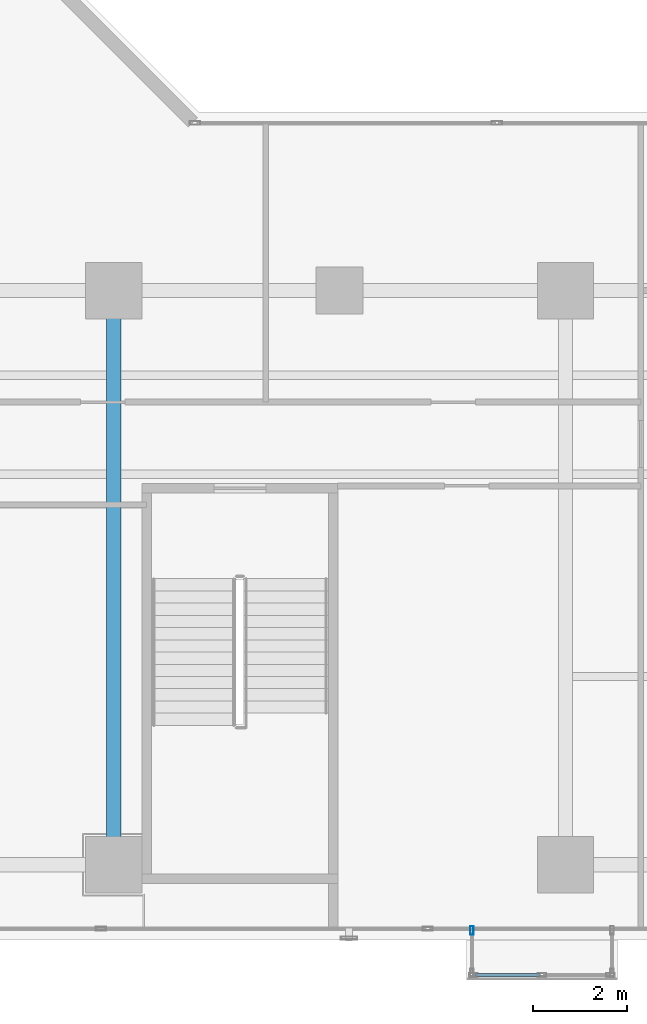
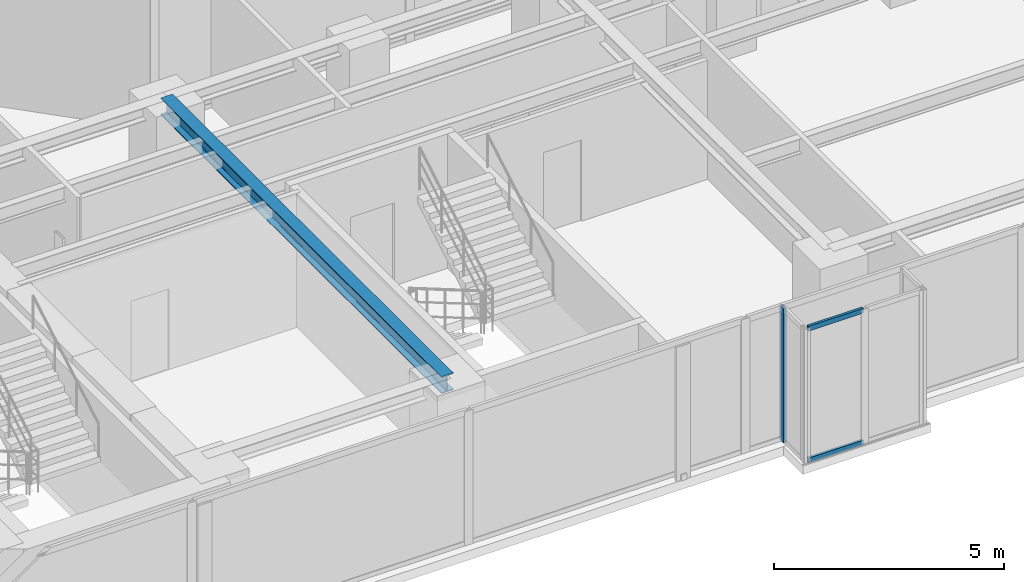
# One storey, part 5 of 27: 3 members, 1 beam, 2 elements without a shape of their own.
"""IFC4 building model written with IfcOpenShell, lengths in metres."""

from ifc_helpers import new_model, si_unit, direction, frame, origin, origin_with_axes, origin_2d, place, context, subcontext, project, spatial, hollow_rectangle, i_section, extrude, source, transform, mapped, material, layer, layer_set, material_profile, profile_set, type_object, element, aggregate, save


model = new_model("IFC4")

# Units and contexts
model_context = context("Model", 3, precision=1e-05, world=origin(), true_north=direction((0.0, 1.0)))
body_context = subcontext(model_context, "Body", "Model", "MODEL_VIEW")
ifc_project = project(units=[si_unit("LENGTHUNIT", "METRE"), si_unit("AREAUNIT", "SQUARE_METRE"), si_unit("VOLUMEUNIT", "CUBIC_METRE"), si_unit("PLANEANGLEUNIT", "RADIAN"), si_unit("MASSUNIT", "GRAM", prefix="KILO")], contexts=[model_context])

# Site, building, storey
site_placement = place(None, origin())
site = spatial("IfcSite", under=ifc_project, at=site_placement, CompositionType="ELEMENT")
building_placement = place(site_placement, origin())
building = spatial("IfcBuilding", under=site, at=building_placement, Name="Kolvaren Waterfront Exchange", CompositionType="ELEMENT")
storey_placement = place(building_placement, frame((0.0, 0.0, 176.60009765625)))
storey = spatial("IfcBuildingStorey", under=building, at=storey_placement, Name="L45", CompositionType="ELEMENT", Elevation=176.60009765625)

# Beam
ifc_material_1 = material(Name="Steel S355", Category="steel")
ifc_material_profile_1 = material_profile(ifc_material_1, i_section(OverallWidth=0.300048828125, OverallDepth=0.449951171875, WebThickness=0.013916015625, FlangeThickness=0.02587890625, FilletRadius=0.027099609375, at=origin_2d()), Name="HEB450")
ifc_profile_set_1 = profile_set([ifc_material_profile_1], Name="Steel S355")
beam_type = type_object("IfcBeamType", Name="STR-BM-HEB450", PredefinedType="BEAM", material=ifc_profile_set_1)
beam_placement = place(storey_placement, frame((27.199951171875, 5.199951171875, 3.3349609375), z_axis=(0.0, 1.0, 0.0), x_axis=(-1.0, 0.0, 0.0)))
element("IfcBeam", 1, at=beam_placement, inside=storey, type_object=beam_type, Name="L45 east-arm transverse girder X27", PredefinedType="BEAM", context=body_context, shape_type="SweptSolid", body=[
    extrude(i_section(OverallWidth=0.300048828125, OverallDepth=0.449951171875, WebThickness=0.013916015625, FlangeThickness=0.02587890625, FilletRadius=0.027099609375, at=origin_2d()), origin(), (0.0, 0.0, 1.0), 12.199951171875),
])

# Curtain wall, members
ifc_material_2 = material(Name="Anodised bronze aluminium 6063-T6", Category="aluminium")
ifc_layer = layer(ifc_material_2, 0.219970703125, Name="Anodised bronze aluminium 6063-T6")
ifc_layer_set = layer_set([ifc_layer], Name="Anodised bronze aluminium 6063-T6")
curtain_wall_type = type_object("IfcCurtainWallType", Name="ARC-CW-SYS3", PredefinedType="USERDEFINED", material=ifc_layer_set)
curtain_wall_1_placement = place(storey_placement, origin())
curtain_wall_1 = element("IfcCurtainWall", 2, at=curtain_wall_1_placement, inside=storey, type_object=curtain_wall_type, Name="L45 stick curtain wall CW3 (CW-L45-BOX)", ObjectType="STICK CURTAIN WALL", PredefinedType="USERDEFINED")
ifc_material_profile_2 = material_profile(ifc_material_2, hollow_rectangle(XDim=0.06494140625, YDim=0.1298828125, WallThickness=0.00390625, at=origin_2d()), Name="ALU-TRN-130x65x4")
ifc_profile_set_2 = profile_set([ifc_material_profile_2], Name="Anodised bronze aluminium 6063-T6")
member_type_1 = type_object("IfcMemberType", Name="ARC-CWT-130", PredefinedType="USERDEFINED", material=ifc_profile_set_2)
shared_shape_1 = source(origin_with_axes(), body_context, "Body", "SweptSolid", [
    extrude(hollow_rectangle(XDim=0.06494140625, YDim=0.1298828125, WallThickness=0.00390625, at=origin_2d()), origin(), (0.0, 0.0, 1.0), 1.37744140625),
])
member_1_placement = place(storey_placement, frame((34.885009765625, 2.860107421875, 0.032470703125), z_axis=(1.0, 0.0, 0.0), x_axis=(0.0, 1.0, 0.0)))
member_1 = element("IfcMember", 3, at=member_1_placement, type_object=member_type_1, Name="CW3 transom 1.1", ObjectType="TRANSOM", PredefinedType="USERDEFINED", context=body_context, shape_type="MappedRepresentation", body=[
    mapped(shared_shape_1, transform((0.0, 0.0, 0.0), x_axis=(1.0, 0.0, 0.0), y_axis=(0.0, 1.0, 0.0), z_axis=(0.0, 0.0, 1.0), scale=1.0)),
])
member_2_placement = place(storey_placement, frame((34.885009765625, 2.860107421875, 3.52734375), z_axis=(1.0, 0.0, 0.0), x_axis=(0.0, 1.0, 0.0)))
member_2 = element("IfcMember", 4, at=member_2_placement, type_object=member_type_1, Name="CW3 transom 1.2", ObjectType="TRANSOM", PredefinedType="USERDEFINED", context=body_context, shape_type="MappedRepresentation", body=[
    mapped(shared_shape_1, transform((0.0, 0.0, 0.0), x_axis=(1.0, 0.0, 0.0), y_axis=(0.0, 1.0, 0.0), z_axis=(0.0, 0.0, 1.0), scale=1.0)),
])
aggregate(curtain_wall_1, [member_1, member_2])

# Curtain wall, member
curtain_wall_2_placement = place(storey_placement, origin())
curtain_wall_2 = element("IfcCurtainWall", 5, at=curtain_wall_2_placement, inside=storey, type_object=curtain_wall_type, Name="L45 stick curtain wall CW3 (CW-L45-BOX-W)", ObjectType="STICK CURTAIN WALL", PredefinedType="USERDEFINED")
ifc_material_profile_3 = material_profile(ifc_material_2, hollow_rectangle(XDim=0.074951171875, YDim=0.179931640625, WallThickness=0.00439453125, at=origin_2d()), Name="ALU-MUL-180x75x4.5")
ifc_profile_set_3 = profile_set([ifc_material_profile_3], Name="Anodised bronze aluminium 6063-T6")
member_type_2 = type_object("IfcMemberType", Name="ARC-CWM-180", PredefinedType="MULLION", material=ifc_profile_set_3)
shared_shape_2 = source(origin_with_axes(), body_context, "Body", "SweptSolid", [
    extrude(hollow_rectangle(XDim=0.074951171875, YDim=0.179931640625, WallThickness=0.00439453125, at=origin_2d()), origin(), (0.0, 0.0, 1.0), 3.559814453125),
])
member_3_placement = place(storey_placement, frame((34.81005859375, 3.802490234375, 0.0), z_axis=(0.0, 0.0, 1.0), x_axis=(1.0, 0.0, 0.0)))
member_3 = element("IfcMember", 6, at=member_3_placement, type_object=member_type_2, Name="CW3 mullion 1", PredefinedType="MULLION", context=body_context, shape_type="MappedRepresentation", body=[
    mapped(shared_shape_2, transform((0.0, 0.0, 0.0), x_axis=(1.0, 0.0, 0.0), y_axis=(0.0, 1.0, 0.0), z_axis=(0.0, 0.0, 1.0), scale=1.0)),
])
aggregate(curtain_wall_2, [member_3])

save(model, "model.ifc")
